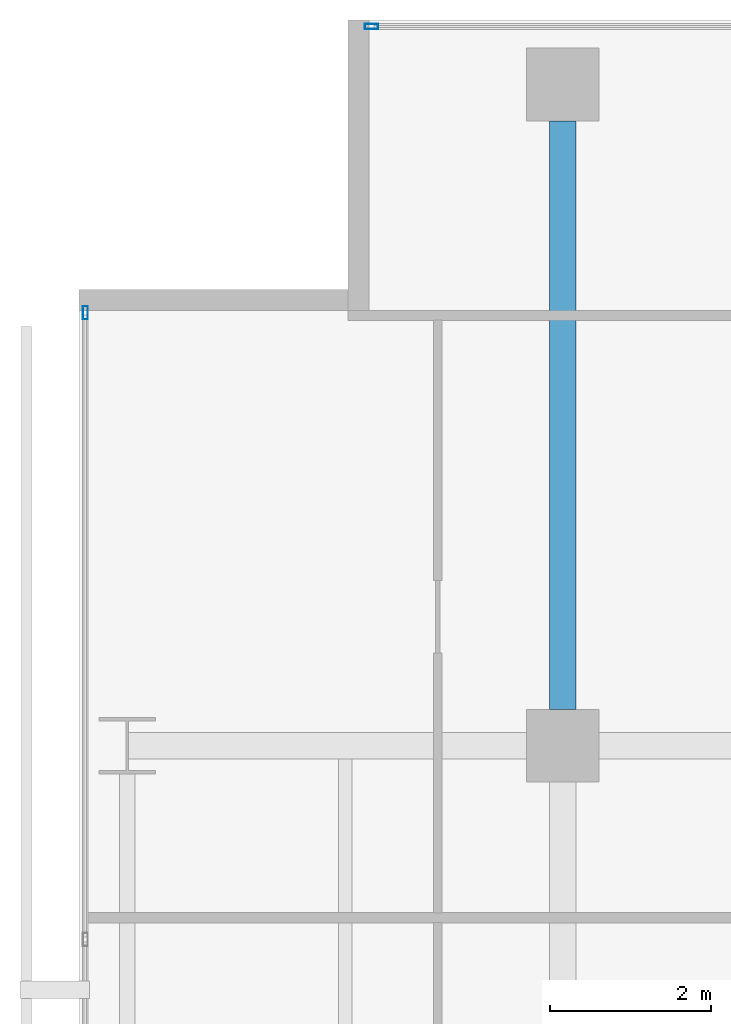
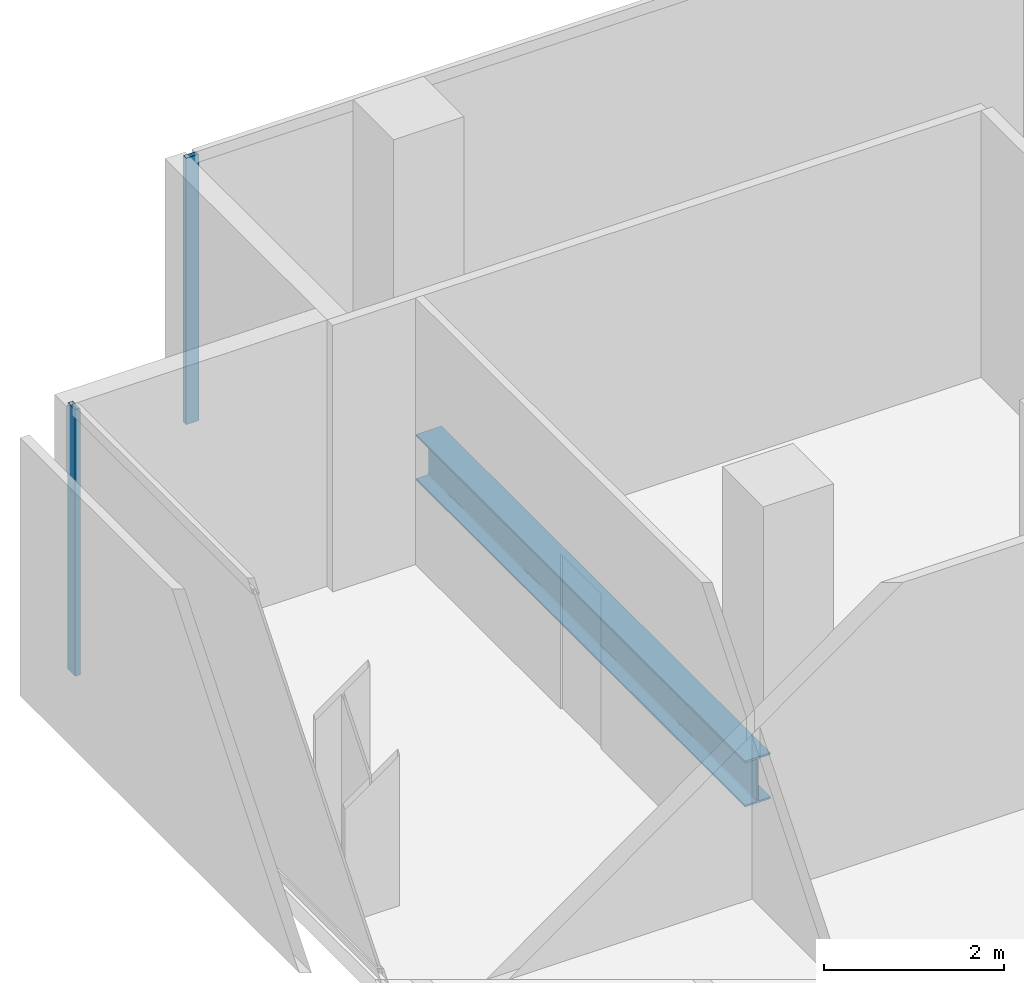
# One storey, part 25 of 39: 2 members, 1 beam, 2 elements without a shape of their own.
"""IFC4 building model written with IfcOpenShell, lengths in metres."""

from ifc_helpers import new_model, si_unit, direction, frame, origin, origin_2d, place, context, subcontext, project, spatial, hollow_rectangle, i_section, extrude, material, layer, layer_set, material_profile, profile_set, type_object, element, aggregate, save


model = new_model("IFC4")

# Units and contexts
model_context = context("Model", 3, precision=1e-05, world=origin(), true_north=direction((0.0, 1.0)))
body_context = subcontext(model_context, "Body", "Model", "MODEL_VIEW")
ifc_project = project(units=[si_unit("LENGTHUNIT", "METRE"), si_unit("AREAUNIT", "SQUARE_METRE"), si_unit("VOLUMEUNIT", "CUBIC_METRE"), si_unit("PLANEANGLEUNIT", "RADIAN"), si_unit("MASSUNIT", "GRAM", prefix="KILO")], contexts=[model_context])

# Site, building, storey
site_placement = place(None, origin())
site = spatial("IfcSite", under=ifc_project, at=site_placement, CompositionType="ELEMENT")
building_placement = place(site_placement, origin())
building = spatial("IfcBuilding", under=site, at=building_placement, Name="Maruvema Waterfront Hotel and Observation Tower", CompositionType="ELEMENT")
storey_placement = place(building_placement, frame((0.0, 0.0, 46.199951171875)))
storey = spatial("IfcBuildingStorey", under=building, at=storey_placement, Name="L10", CompositionType="ELEMENT", Elevation=46.199951171875)

# Curtain wall, member
ifc_material_1 = material(Name="Anodised bronze aluminium and solar-control low-E IGU", Category="aluminium")
ifc_layer = layer(ifc_material_1, 0.159912109375, Name="Zone 1 Bronze Inner Thermal Curtain Wall System CW-02")
ifc_layer_set = layer_set([ifc_layer], Name="Anodised bronze aluminium and solar-control low-E IGU")
curtain_wall_type = type_object("IfcCurtainWallType", Name="Zone 1 Bronze Inner Thermal Curtain Wall System CW-02", PredefinedType="USERDEFINED", material=ifc_layer_set)
curtain_wall_1_placement = place(storey_placement, origin())
curtain_wall_1 = element("IfcCurtainWall", 1, at=curtain_wall_1_placement, inside=storey, type_object=curtain_wall_type, Name="L10 Curtain Wall CW-L10-W", ObjectType="UNITISED CURTAIN WALL", PredefinedType="USERDEFINED")
ifc_material_2 = material(Name="Anodised architectural bronze aluminium", Category="aluminium")
ifc_material_profile_1 = material_profile(ifc_material_2, hollow_rectangle(XDim=0.06494140625, YDim=0.1650390625, WallThickness=0.00390625, at=origin_2d()), Name="ALU-M65x165")
ifc_profile_set_1 = profile_set([ifc_material_profile_1], Name="Anodised architectural bronze aluminium")
member_type = type_object("IfcMemberType", Name="Curtain Wall Primary Mullion ALU-M65x165", PredefinedType="MULLION", material=ifc_profile_set_1)
member_1_placement = place(storey_placement, frame((10.8798828125, 50.3701171875, 0.0), z_axis=(0.0, 0.0, 1.0), x_axis=(1.0, 0.0, 0.0)))
member_1 = element("IfcMember", 2, at=member_1_placement, type_object=member_type, Name="CW-02 mullion 1", PredefinedType="MULLION", context=body_context, shape_type="SweptSolid", body=[
    extrude(hollow_rectangle(XDim=0.06494140625, YDim=0.1650390625, WallThickness=0.00390625, at=origin_2d()), origin(), (0.0, 0.0, 1.0), 3.610107421875),
])
aggregate(curtain_wall_1, [member_1])

curtain_wall_2_placement = place(storey_placement, origin())
curtain_wall_2 = element("IfcCurtainWall", 3, at=curtain_wall_2_placement, inside=storey, type_object=curtain_wall_type, Name="L10 Curtain Wall CW-L10-NW", ObjectType="UNITISED CURTAIN WALL", PredefinedType="USERDEFINED")
member_2_placement = place(storey_placement, frame((14.429931640625, 53.919921875, 0.0), z_axis=(0.0, 0.0, 1.0), x_axis=(0.0, -1.0, 0.0)))
member_2 = element("IfcMember", 4, at=member_2_placement, type_object=member_type, Name="CW-02 mullion 2", PredefinedType="MULLION", context=body_context, shape_type="SweptSolid", body=[
    extrude(hollow_rectangle(XDim=0.06494140625, YDim=0.1650390625, WallThickness=0.00390625, at=origin_2d()), origin(), (0.0, 0.0, 1.0), 3.610107421875),
])
aggregate(curtain_wall_2, [member_2])

# Beam
ifc_material_3 = material(Name="Steel ASTM A572 Grade 50", Category="steel")
ifc_material_profile_2 = material_profile(ifc_material_3, i_section(OverallWidth=0.326904296875, OverallDepth=0.6220703125, WebThickness=0.015380859375, FlangeThickness=0.0244140625, FilletRadius=0.01806640625, at=origin_2d()), Name="W610x195.0")
ifc_profile_set_2 = profile_set([ifc_material_profile_2], Name="Steel ASTM A572 Grade 50")
beam_type = type_object("IfcBeamType", Name="Primary Floor Girder W610x195.0", PredefinedType="BEAM", material=ifc_profile_set_2)
beam_placement = place(storey_placement, frame((16.800048828125, 45.449951171875, -0.551025390625), z_axis=(0.0, 1.0, 0.0), x_axis=(-1.0, 0.0, 0.0)))
element("IfcBeam", 5, at=beam_placement, inside=storey, type_object=beam_type, Name="L10 Floor Girder NS-10", PredefinedType="BEAM", context=body_context, shape_type="SweptSolid", body=[
    extrude(i_section(OverallWidth=0.326904296875, OverallDepth=0.6220703125, WebThickness=0.015380859375, FlangeThickness=0.0244140625, FilletRadius=0.01806640625, at=origin_2d()), origin(), (0.0, 0.0, 1.0), 7.300048828125),
])

save(model, "model.ifc")
